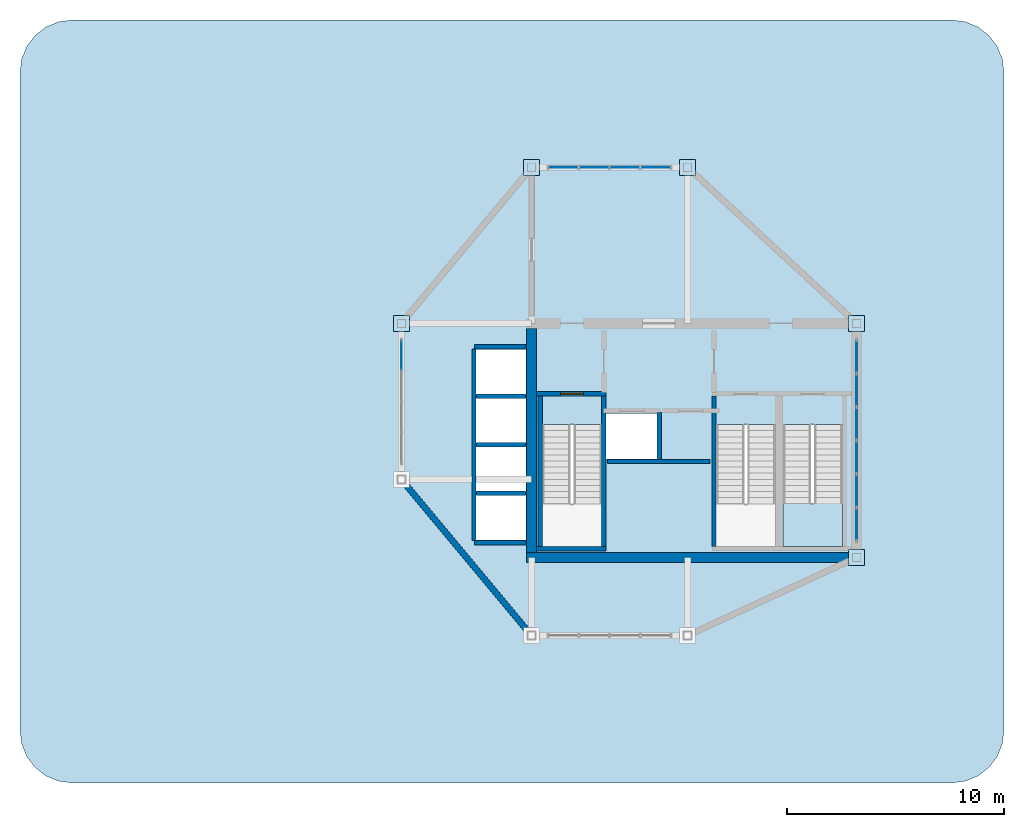
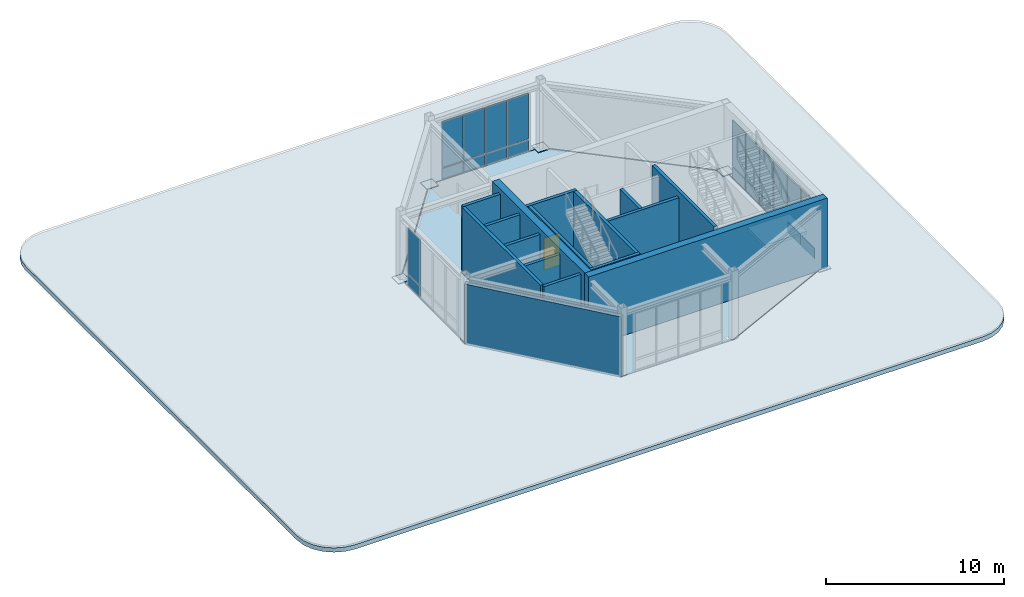
# One storey, part 3 of 5: 27 plates, 16 walls, 3 slabs, 1 door, 1 opening, 4 elements without a shape of their own.
"""IFC4 building model written with IfcOpenShell, lengths in metres."""

from ifc_helpers import new_model, si_unit, derived_unit, direction, frame, frame_2d, origin, origin_2d, place, context, subcontext, project, spatial, polyline, rectangle, outline, extrude, source, transform, mapped, material, layer, layer_set, type_object, type_shapes, element, fill, aggregate, save


model = new_model("IFC4")

# Units and contexts
model_context = context("Model", 3, precision=1e-05, world=origin(), true_north=direction((0.0, 1.0)))
body_context = subcontext(model_context, "Body", "Model", "MODEL_VIEW")
ifc_project = project(units=[si_unit("LENGTHUNIT", "METRE"), si_unit("AREAUNIT", "SQUARE_METRE"), si_unit("VOLUMEUNIT", "CUBIC_METRE"), si_unit("PLANEANGLEUNIT", "RADIAN"), si_unit("MASSUNIT", "GRAM", prefix="KILO"), si_unit("THERMODYNAMICTEMPERATUREUNIT", "KELVIN"), si_unit("POWERUNIT", "WATT"), derived_unit("THERMALTRANSMITTANCEUNIT", [(si_unit("POWERUNIT", "WATT"), 1), (si_unit("AREAUNIT", "SQUARE_METRE"), -1), (si_unit("THERMODYNAMICTEMPERATUREUNIT", "KELVIN"), -1)])], contexts=[model_context])

# Site, building, storey
site_placement = place(None, origin())
site = spatial("IfcSite", under=ifc_project, at=site_placement, CompositionType="ELEMENT")
building_placement = place(site_placement, origin())
building = spatial("IfcBuilding", under=site, at=building_placement, Name="Zahravan Archway Hotel and Residences", CompositionType="ELEMENT")
storey_placement = place(building_placement, frame((0.0, 0.0, 299.10009765625)))
storey = spatial("IfcBuildingStorey", under=building, at=storey_placement, Name="L75", CompositionType="ELEMENT", Elevation=299.10009765625)

# Slab
ifc_material_1 = material(Name="Concrete C50/60", Category="concrete")
ifc_layer_1 = layer(ifc_material_1, 0.300048828125, Name="Concrete C50/60", Category="concrete")
ifc_layer_set_1 = layer_set([ifc_layer_1], Name="Concrete C50/60")
slab_type_1 = type_object("IfcSlabType", Name="SLB-FLR-300", PredefinedType="FLOOR", material=ifc_layer_set_1)
slab_1_placement = place(storey_placement, frame((0.0, 0.0, -0.300048828125)))
element("IfcSlab", 1, at=slab_1_placement, inside=storey, type_object=slab_type_1, Name="L75 Floor Slab DRUM", PredefinedType="FLOOR", context=body_context, shape_type="SweptSolid", body=[
    extrude(outline(polyline([(34.800048828125, 0.0), (42.0, 0.0), (49.800048828125, 3.60009765625), (49.800048828125, 14.39990234375), (42.0, 21.60009765625), (34.800048828125, 21.60009765625), (28.800048828125, 14.39990234375), (28.800048828125, 7.199951171875), (34.800048828125, 0.0)]), holes=[polyline([(35.300048828125, 9.72998046875), (35.300048828125, 4.10009765625), (38.0400390625, 4.10009765625), (38.0400390625, 9.72998046875), (35.300048828125, 9.72998046875)]), polyline([(43.320068359375, 9.72998046875), (43.320068359375, 4.10009765625), (46.06005859375, 4.10009765625), (46.06005859375, 9.72998046875), (43.320068359375, 9.72998046875)]), polyline([(46.39990234375, 9.72998046875), (46.39990234375, 4.10009765625), (49.139892578125, 4.10009765625), (49.139892578125, 9.72998046875), (46.39990234375, 9.72998046875)]), polyline([(38.179931640625, 8.14990234375), (40.699951171875, 8.14990234375), (40.699951171875, 10.25), (38.179931640625, 10.25), (38.179931640625, 8.14990234375)]), polyline([(32.25, 4.39990234375), (34.550048828125, 4.39990234375), (34.550048828125, 6.47998046875), (32.25, 6.47998046875), (32.25, 4.39990234375)]), polyline([(32.25, 6.639892578125), (34.550048828125, 6.639892578125), (34.550048828125, 8.719970703125), (32.25, 8.719970703125), (32.25, 6.639892578125)]), polyline([(32.25, 8.8798828125), (34.550048828125, 8.8798828125), (34.550048828125, 10.9599609375), (32.25, 10.9599609375), (32.25, 8.8798828125)]), polyline([(32.25, 11.1201171875), (34.550048828125, 11.1201171875), (34.550048828125, 13.199951171875), (32.25, 13.199951171875), (32.25, 11.1201171875)])]), origin(), (0.0, 0.0, 1.0), 0.300048828125),
])

# Stair, slab
stair_type = type_object("IfcStairType", Name="STR-CORE-1300", PredefinedType="HALF_TURN_STAIR", material=ifc_material_1)
stair_placement = place(storey_placement, origin())
stair = element("IfcStair", 2, at=stair_placement, inside=storey, type_object=stair_type, Name="L75 Core A Exit Stair 3", PredefinedType="HALF_TURN_STAIR")
ifc_layer_2 = layer(ifc_material_1, 0.199951171875, Name="Concrete C50/60", Category="concrete")
ifc_layer_set_2 = layer_set([ifc_layer_2], Name="Concrete C50/60")
slab_type_2 = type_object("IfcSlabType", Name="SLB-LND-200", PredefinedType="LANDING", material=ifc_layer_set_2)
slab_2_placement = place(storey_placement, frame((0.0, 0.0, 2.199951171875)))
slab_2 = element("IfcSlab", 3, at=slab_2_placement, type_object=slab_type_2, Name="ST-A3 landing 1", PredefinedType="LANDING", context=body_context, shape_type="SweptSolid", body=[
    extrude(outline(polyline([(46.39990234375, 6.090087890625), (46.39990234375, 4.10009765625), (49.139892578125, 4.10009765625), (49.139892578125, 6.090087890625), (46.39990234375, 6.090087890625)])), origin(), (0.0, 0.0, 1.0), 0.199951171875),
])
aggregate(stair, [slab_2])

# Slab
ifc_layer_3 = layer(ifc_material_1, 0.300048828125, Name="Concrete C50/60", Category="concrete")
ifc_layer_set_3 = layer_set([ifc_layer_3], Name="Concrete C50/60")
slab_type_3 = type_object("IfcSlabType", Name="SLB-ROOF-300", PredefinedType="ROOF", material=ifc_layer_set_3)
slab_3_placement = place(storey_placement, frame((0.0, 0.0, -0.300048828125)))
element("IfcSlab", 4, at=slab_3_placement, inside=storey, type_object=slab_type_3, Name="Wing A Overhanging Flat Shading Roof Canopy Slab 300 mm", PredefinedType="ROOF", context=body_context, shape_type="SweptSolid", body=[
    extrude(outline(polyline([(13.60009765625, -6.800048828125), (12.978759765625, -6.71826171875), (12.39990234375, -6.478515625), (11.90283203125, -6.09716796875), (11.521484375, -5.60009765625), (11.28173828125, -5.021240234375), (11.199951171875, -4.39990234375), (11.199951171875, 26.0), (11.28173828125, 26.62109375), (11.521484375, 27.199951171875), (11.90283203125, 27.697021484375), (12.39990234375, 28.07861328125), (12.978759765625, 28.318115234375), (13.60009765625, 28.39990234375), (54.199951171875, 28.39990234375), (54.8212890625, 28.318115234375), (55.39990234375, 28.07861328125), (55.897216796875, 27.697021484375), (56.278564453125, 27.199951171875), (56.518310546875, 26.62109375), (56.60009765625, 26.0), (56.60009765625, -4.39990234375), (56.518310546875, -5.021240234375), (56.278564453125, -5.60009765625), (55.897216796875, -6.09716796875), (55.39990234375, -6.478515625), (54.8212890625, -6.71826171875), (54.199951171875, -6.800048828125), (13.60009765625, -6.800048828125)]), holes=[polyline([(34.764892578125, -0.03564453125), (34.7685546875, -0.038818359375), (34.7724609375, -0.041748046875), (34.776611328125, -0.044189453125), (34.781005859375, -0.04638671875), (34.78564453125, -0.0478515625), (34.790283203125, -0.049072265625), (34.795166015625, -0.0498046875), (34.800048828125, -0.050048828125), (42.0, -0.050048828125), (42.00537109375, -0.0498046875), (42.0107421875, -0.048828125), (42.015869140625, -0.04736328125), (42.02099609375, -0.04541015625), (49.821044921875, 3.5546875), (49.8251953125, 3.556884765625), (49.8291015625, 3.559326171875), (49.8330078125, 3.562255859375), (49.836181640625, 3.565673828125), (49.83935546875, 3.569091796875), (49.842041015625, 3.572998046875), (49.844482421875, 3.5771484375), (49.846435546875, 3.58154296875), (49.847900390625, 3.5859375), (49.84912109375, 3.590576171875), (49.849853515625, 3.59521484375), (49.85009765625, 3.60009765625), (49.85009765625, 14.39990234375), (49.849609375, 14.405029296875), (49.848876953125, 14.41015625), (49.84765625, 14.415283203125), (49.845703125, 14.420166015625), (49.843505859375, 14.4248046875), (49.8408203125, 14.428955078125), (49.83740234375, 14.43310546875), (49.833984375, 14.436767578125), (42.033935546875, 21.63671875), (42.0302734375, 21.6396484375), (42.026611328125, 21.642333984375), (42.0224609375, 21.644775390625), (42.018310546875, 21.646484375), (42.013916015625, 21.648193359375), (42.00927734375, 21.649169921875), (42.004638671875, 21.64990234375), (42.0, 21.64990234375), (34.800048828125, 21.64990234375), (34.795166015625, 21.64990234375), (34.790283203125, 21.649169921875), (34.78564453125, 21.64794921875), (34.781005859375, 21.646240234375), (34.776611328125, 21.644287109375), (34.7724609375, 21.6416015625), (34.7685546875, 21.638916015625), (34.764892578125, 21.635498046875), (34.76171875, 21.632080078125), (28.76171875, 14.431884765625), (28.758544921875, 14.427978515625), (28.756103515625, 14.423828125), (28.75390625, 14.419189453125), (28.752197265625, 14.414794921875), (28.7509765625, 14.409912109375), (28.750244140625, 14.405029296875), (28.75, 14.39990234375), (28.75, 7.199951171875), (28.750244140625, 7.195068359375), (28.7509765625, 7.190185546875), (28.752197265625, 7.185302734375), (28.75390625, 7.1806640625), (28.756103515625, 7.17626953125), (28.758544921875, 7.172119140625), (28.76171875, 7.16796875), (34.76171875, -0.031982421875), (34.764892578125, -0.03564453125)])]), origin(), (0.0, 0.0, 1.0), 0.300048828125),
])

# Plates
ifc_material_2 = material(Name="Structural Steel S355J2", Category="steel")
ifc_layer_4 = layer(ifc_material_2, 0.0400390625, Name="Structural Steel S355J2", Category="steel")
ifc_layer_set_4 = layer_set([ifc_layer_4], Name="Structural Steel S355J2")
plate_type_1 = type_object("IfcPlateType", Name="PLT-BASE-MP2", PredefinedType="SHEET", material=ifc_layer_set_4)
shared_shape_1 = source(origin(), body_context, "Body", "SweptSolid", [
    extrude(rectangle(XDim=0.75, YDim=0.75, at=origin_2d()), origin(), (0.0, 0.0, 1.0), 0.0400390625),
])
type_shapes(plate_type_1, [shared_shape_1])
for number, where, z_axis, x_axis, name in (
    (5, (49.800048828125, 3.60009765625, 0.0), (0.0, 0.0, 1.0), (1.0, 0.0, 0.0), "Crown Drum Column Base Plate MP2-3"),
    (6, (49.800048828125, 14.39990234375, 0.0), (0.0, 0.0, 1.0), (1.0, 0.0, 0.0), "Crown Drum Column Base Plate MP2-4"),
    (7, (42.0, 21.60009765625, 0.0), (0.0, 0.0, 1.0), (1.0, 0.0, 0.0), "Crown Drum Column Base Plate MP2-5"),
    (8, (34.800048828125, 21.60009765625, 0.0), (0.0, 0.0, 1.0), (1.0, 0.0, 0.0), "Crown Drum Column Base Plate MP2-6"),
    (9, (28.800048828125, 14.39990234375, 0.0), (0.0, 0.0, 1.0), (1.0, 0.0, 0.0), "Crown Drum Column Base Plate MP2-7"),
):
    element("IfcPlate", number, at=place(storey_placement, frame(where, z_axis=z_axis, x_axis=x_axis)), inside=storey, type_object=plate_type_1, Name=name, PredefinedType="SHEET", context=body_context, shape_type="MappedRepresentation", body=[
        mapped(shared_shape_1, transform((0.0, 0.0, 0.0), scale=1.0)),
    ])

# Curtain wall, plates
ifc_material_3 = material(Name="Bronze-Anodized Unitised Aluminium & Low-E Glass", Category="aluminium")
ifc_layer_5 = layer(ifc_material_3, 0.179931640625, Name="Bronze-Anodized Unitised Aluminium & Low-E Glass", Category="aluminium")
ifc_layer_set_5 = layer_set([ifc_layer_5], Name="Bronze-Anodized Unitised Aluminium & Low-E Glass")
curtain_wall_type = type_object("IfcCurtainWallType", Name="CW-CRN-DRUM", PredefinedType="NOTDEFINED", material=ifc_layer_set_5)
curtain_wall_1_placement = place(storey_placement, origin())
curtain_wall_1 = element("IfcCurtainWall", 10, at=curtain_wall_1_placement, inside=storey, type_object=curtain_wall_type, Name="L75 Curtain Wall CW-DRUM-L75-5-1", PredefinedType="NOTDEFINED")
ifc_material_4 = material(Name="Insulated Terracotta Spandrel Panel", Category="masonry")
ifc_layer_6 = layer(ifc_material_4, 0.0400390625, Name="Insulated Terracotta Spandrel Panel", Category="masonry")
ifc_layer_set_6 = layer_set([ifc_layer_6], Name="Insulated Terracotta Spandrel Panel")
plate_type_2 = type_object("IfcPlateType", Name="CWP-SPN-40", PredefinedType="SHEET", material=ifc_layer_set_6)
shared_shape_2 = source(origin(), body_context, "Body", "SweptSolid", [
    extrude(rectangle(XDim=1.340087890625, YDim=0.0400390625, at=origin_2d()), origin(), (0.0, 0.0, 1.0), 0.7099609375),
])
plate_1_placement = place(storey_placement, frame((40.530029296875, 21.60009765625, 0.099853515625), z_axis=(0.0, 0.0, 1.0), x_axis=(-1.0, 0.0, 0.0)))
plate_1 = element("IfcPlate", 11, at=plate_1_placement, type_object=plate_type_2, Name="CW-DRUM-L75-5-1 Spandrel Panel 0", PredefinedType="SHEET", context=body_context, shape_type="MappedRepresentation", body=[
    mapped(shared_shape_2, transform((0.0, 0.0, 0.0), scale=1.0)),
])
plate_2_placement = place(storey_placement, frame((39.110107421875, 21.60009765625, 0.099853515625), z_axis=(0.0, 0.0, 1.0), x_axis=(-1.0, 0.0, 0.0)))
plate_2 = element("IfcPlate", 12, at=plate_2_placement, type_object=plate_type_2, Name="CW-DRUM-L75-5-1 Spandrel Panel 1", PredefinedType="SHEET", context=body_context, shape_type="MappedRepresentation", body=[
    mapped(shared_shape_2, transform((0.0, 0.0, 0.0), scale=1.0)),
])
plate_3_placement = place(storey_placement, frame((37.68994140625, 21.60009765625, 0.099853515625), z_axis=(0.0, 0.0, 1.0), x_axis=(-1.0, 0.0, 0.0)))
plate_3 = element("IfcPlate", 13, at=plate_3_placement, type_object=plate_type_2, Name="CW-DRUM-L75-5-1 Spandrel Panel 2", PredefinedType="SHEET", context=body_context, shape_type="MappedRepresentation", body=[
    mapped(shared_shape_2, transform((0.0, 0.0, 0.0), scale=1.0)),
])
plate_4_placement = place(storey_placement, frame((36.27001953125, 21.60009765625, 0.099853515625), z_axis=(0.0, 0.0, 1.0), x_axis=(-1.0, 0.0, 0.0)))
plate_4 = element("IfcPlate", 14, at=plate_4_placement, type_object=plate_type_2, Name="CW-DRUM-L75-5-1 Spandrel Panel 3", PredefinedType="SHEET", context=body_context, shape_type="MappedRepresentation", body=[
    mapped(shared_shape_2, transform((0.0, 0.0, 0.0), scale=1.0)),
])

# Curtain wall, plate
curtain_wall_2_placement = place(storey_placement, origin())
curtain_wall_2 = element("IfcCurtainWall", 15, at=curtain_wall_2_placement, inside=storey, type_object=curtain_wall_type, Name="L75 Curtain Wall CW-DRUM-L75-7-1", PredefinedType="NOTDEFINED")
plate_5_placement = place(storey_placement, frame((28.800048828125, 12.929931640625, 0.099853515625), z_axis=(0.0, 0.0, 1.0), x_axis=(0.0, -1.0, 0.0)))
plate_5 = element("IfcPlate", 16, at=plate_5_placement, type_object=plate_type_2, Name="CW-DRUM-L75-7-1 Spandrel Panel 0", PredefinedType="SHEET", context=body_context, shape_type="MappedRepresentation", body=[
    mapped(shared_shape_2, transform((0.0, 0.0, 0.0), scale=1.0)),
])

# Plate
ifc_material_5 = material(Name="Double-Silver Low-E Insulated Vision Glass", Category="glass")
ifc_layer_7 = layer(ifc_material_5, 0.028076171875, Name="Double-Silver Low-E Insulated Vision Glass", Category="glass")
ifc_layer_set_7 = layer_set([ifc_layer_7], Name="Double-Silver Low-E Insulated Vision Glass")
plate_type_3 = type_object("IfcPlateType", Name="CWP-GLZ-28", PredefinedType="CURTAIN_PANEL", material=ifc_layer_set_7)
shared_shape_3 = source(origin(), body_context, "Body", "SweptSolid", [
    extrude(rectangle(XDim=1.340087890625, YDim=0.028076171875, at=origin_2d()), origin(), (0.0, 0.0, 1.0), 3.135009765625),
])
plate_6_placement = place(storey_placement, frame((40.530029296875, 21.60009765625, 0.89013671875), z_axis=(0.0, 0.0, 1.0), x_axis=(-1.0, 0.0, 0.0)))
plate_6 = element("IfcPlate", 17, at=plate_6_placement, type_object=plate_type_3, Name="CW-DRUM-L75-5-1 Low-E Vision Panel 0", PredefinedType="CURTAIN_PANEL", context=body_context, shape_type="MappedRepresentation", body=[
    mapped(shared_shape_3, transform((0.0, 0.0, 0.0), scale=1.0)),
])

plate_7_placement = place(storey_placement, frame((39.110107421875, 21.60009765625, 0.89013671875), z_axis=(0.0, 0.0, 1.0), x_axis=(-1.0, 0.0, 0.0)))
plate_7 = element("IfcPlate", 18, at=plate_7_placement, type_object=plate_type_3, Name="CW-DRUM-L75-5-1 Low-E Vision Panel 1", PredefinedType="CURTAIN_PANEL", context=body_context, shape_type="MappedRepresentation", body=[
    mapped(shared_shape_3, transform((0.0, 0.0, 0.0), scale=1.0)),
])

plate_8_placement = place(storey_placement, frame((37.68994140625, 21.60009765625, 0.89013671875), z_axis=(0.0, 0.0, 1.0), x_axis=(-1.0, 0.0, 0.0)))
plate_8 = element("IfcPlate", 19, at=plate_8_placement, type_object=plate_type_3, Name="CW-DRUM-L75-5-1 Low-E Vision Panel 2", PredefinedType="CURTAIN_PANEL", context=body_context, shape_type="MappedRepresentation", body=[
    mapped(shared_shape_3, transform((0.0, 0.0, 0.0), scale=1.0)),
])

plate_9_placement = place(storey_placement, frame((36.27001953125, 21.60009765625, 0.89013671875), z_axis=(0.0, 0.0, 1.0), x_axis=(-1.0, 0.0, 0.0)))
plate_9 = element("IfcPlate", 20, at=plate_9_placement, type_object=plate_type_3, Name="CW-DRUM-L75-5-1 Low-E Vision Panel 3", PredefinedType="CURTAIN_PANEL", context=body_context, shape_type="MappedRepresentation", body=[
    mapped(shared_shape_3, transform((0.0, 0.0, 0.0), scale=1.0)),
])

aggregate(curtain_wall_1, [plate_1, plate_6, plate_2, plate_7, plate_3, plate_8, plate_4, plate_9])

plate_10_placement = place(storey_placement, frame((28.800048828125, 12.929931640625, 0.89013671875), z_axis=(0.0, 0.0, 1.0), x_axis=(0.0, -1.0, 0.0)))
plate_10 = element("IfcPlate", 21, at=plate_10_placement, type_object=plate_type_3, Name="CW-DRUM-L75-7-1 Low-E Vision Panel 0", PredefinedType="CURTAIN_PANEL", context=body_context, shape_type="MappedRepresentation", body=[
    mapped(shared_shape_3, transform((0.0, 0.0, 0.0), scale=1.0)),
])

aggregate(curtain_wall_2, [plate_5, plate_10])

# Curtain wall, plates
curtain_wall_3_placement = place(storey_placement, origin())
curtain_wall_3 = element("IfcCurtainWall", 22, at=curtain_wall_3_placement, inside=storey, type_object=curtain_wall_type, Name="L75 Curtain Wall CW-DRUM-L75-3-1", PredefinedType="NOTDEFINED")
shared_shape_4 = source(origin(), body_context, "Body", "SweptSolid", [
    extrude(rectangle(XDim=1.466796875, YDim=0.0400390625, at=origin_2d()), origin(), (0.0, 0.0, 1.0), 0.7099609375),
])
plate_11_placement = place(storey_placement, frame((49.800048828125, 5.13330078125, 0.099853515625), z_axis=(0.0, 0.0, 1.0), x_axis=(0.0, 1.0, 0.0)))
plate_11 = element("IfcPlate", 23, at=plate_11_placement, type_object=plate_type_2, Name="CW-DRUM-L75-3-1 Spandrel Panel 0", PredefinedType="SHEET", context=body_context, shape_type="MappedRepresentation", body=[
    mapped(shared_shape_4, transform((0.0, 0.0, 0.0), scale=1.0)),
])
plate_12_placement = place(storey_placement, frame((49.800048828125, 6.679931640625, 0.099853515625), z_axis=(0.0, 0.0, 1.0), x_axis=(0.0, 1.0, 0.0)))
plate_12 = element("IfcPlate", 24, at=plate_12_placement, type_object=plate_type_2, Name="CW-DRUM-L75-3-1 Spandrel Panel 1", PredefinedType="SHEET", context=body_context, shape_type="MappedRepresentation", body=[
    mapped(shared_shape_4, transform((0.0, 0.0, 0.0), scale=1.0)),
])
plate_13_placement = place(storey_placement, frame((49.800048828125, 8.2265625, 0.099853515625), z_axis=(0.0, 0.0, 1.0), x_axis=(0.0, 1.0, 0.0)))
plate_13 = element("IfcPlate", 25, at=plate_13_placement, type_object=plate_type_2, Name="CW-DRUM-L75-3-1 Spandrel Panel 2", PredefinedType="SHEET", context=body_context, shape_type="MappedRepresentation", body=[
    mapped(shared_shape_4, transform((0.0, 0.0, 0.0), scale=1.0)),
])
plate_14_placement = place(storey_placement, frame((49.800048828125, 9.7734375, 0.099853515625), z_axis=(0.0, 0.0, 1.0), x_axis=(0.0, 1.0, 0.0)))
plate_14 = element("IfcPlate", 26, at=plate_14_placement, type_object=plate_type_2, Name="CW-DRUM-L75-3-1 Spandrel Panel 3", PredefinedType="SHEET", context=body_context, shape_type="MappedRepresentation", body=[
    mapped(shared_shape_4, transform((0.0, 0.0, 0.0), scale=1.0)),
])
plate_15_placement = place(storey_placement, frame((49.800048828125, 11.320068359375, 0.099853515625), z_axis=(0.0, 0.0, 1.0), x_axis=(0.0, 1.0, 0.0)))
plate_15 = element("IfcPlate", 27, at=plate_15_placement, type_object=plate_type_2, Name="CW-DRUM-L75-3-1 Spandrel Panel 4", PredefinedType="SHEET", context=body_context, shape_type="MappedRepresentation", body=[
    mapped(shared_shape_4, transform((0.0, 0.0, 0.0), scale=1.0)),
])
plate_16_placement = place(storey_placement, frame((49.800048828125, 12.86669921875, 0.099853515625), z_axis=(0.0, 0.0, 1.0), x_axis=(0.0, 1.0, 0.0)))
plate_16 = element("IfcPlate", 28, at=plate_16_placement, type_object=plate_type_2, Name="CW-DRUM-L75-3-1 Spandrel Panel 5", PredefinedType="SHEET", context=body_context, shape_type="MappedRepresentation", body=[
    mapped(shared_shape_4, transform((0.0, 0.0, 0.0), scale=1.0)),
])
shared_shape_5 = source(origin(), body_context, "Body", "SweptSolid", [
    extrude(rectangle(XDim=1.466796875, YDim=0.028076171875, at=origin_2d()), origin(), (0.0, 0.0, 1.0), 3.135009765625),
])
plate_17_placement = place(storey_placement, frame((49.800048828125, 5.13330078125, 0.89013671875), z_axis=(0.0, 0.0, 1.0), x_axis=(0.0, 1.0, 0.0)))
plate_17 = element("IfcPlate", 29, at=plate_17_placement, type_object=plate_type_3, Name="CW-DRUM-L75-3-1 Low-E Vision Panel 0", PredefinedType="CURTAIN_PANEL", context=body_context, shape_type="MappedRepresentation", body=[
    mapped(shared_shape_5, transform((0.0, 0.0, 0.0), scale=1.0)),
])
plate_18_placement = place(storey_placement, frame((49.800048828125, 6.679931640625, 0.89013671875), z_axis=(0.0, 0.0, 1.0), x_axis=(0.0, 1.0, 0.0)))
plate_18 = element("IfcPlate", 30, at=plate_18_placement, type_object=plate_type_3, Name="CW-DRUM-L75-3-1 Low-E Vision Panel 1", PredefinedType="CURTAIN_PANEL", context=body_context, shape_type="MappedRepresentation", body=[
    mapped(shared_shape_5, transform((0.0, 0.0, 0.0), scale=1.0)),
])
plate_19_placement = place(storey_placement, frame((49.800048828125, 8.2265625, 0.89013671875), z_axis=(0.0, 0.0, 1.0), x_axis=(0.0, 1.0, 0.0)))
plate_19 = element("IfcPlate", 31, at=plate_19_placement, type_object=plate_type_3, Name="CW-DRUM-L75-3-1 Low-E Vision Panel 2", PredefinedType="CURTAIN_PANEL", context=body_context, shape_type="MappedRepresentation", body=[
    mapped(shared_shape_5, transform((0.0, 0.0, 0.0), scale=1.0)),
])
plate_20_placement = place(storey_placement, frame((49.800048828125, 9.7734375, 0.89013671875), z_axis=(0.0, 0.0, 1.0), x_axis=(0.0, 1.0, 0.0)))
plate_20 = element("IfcPlate", 32, at=plate_20_placement, type_object=plate_type_3, Name="CW-DRUM-L75-3-1 Low-E Vision Panel 3", PredefinedType="CURTAIN_PANEL", context=body_context, shape_type="MappedRepresentation", body=[
    mapped(shared_shape_5, transform((0.0, 0.0, 0.0), scale=1.0)),
])
plate_21_placement = place(storey_placement, frame((49.800048828125, 11.320068359375, 0.89013671875), z_axis=(0.0, 0.0, 1.0), x_axis=(0.0, 1.0, 0.0)))
plate_21 = element("IfcPlate", 33, at=plate_21_placement, type_object=plate_type_3, Name="CW-DRUM-L75-3-1 Low-E Vision Panel 4", PredefinedType="CURTAIN_PANEL", context=body_context, shape_type="MappedRepresentation", body=[
    mapped(shared_shape_5, transform((0.0, 0.0, 0.0), scale=1.0)),
])
plate_22_placement = place(storey_placement, frame((49.800048828125, 12.86669921875, 0.89013671875), z_axis=(0.0, 0.0, 1.0), x_axis=(0.0, 1.0, 0.0)))
plate_22 = element("IfcPlate", 34, at=plate_22_placement, type_object=plate_type_3, Name="CW-DRUM-L75-3-1 Low-E Vision Panel 5", PredefinedType="CURTAIN_PANEL", context=body_context, shape_type="MappedRepresentation", body=[
    mapped(shared_shape_5, transform((0.0, 0.0, 0.0), scale=1.0)),
])
aggregate(curtain_wall_3, [plate_11, plate_17, plate_12, plate_18, plate_13, plate_19, plate_14, plate_20, plate_15, plate_21, plate_16, plate_22])

# Walls
ifc_layer_8 = layer(ifc_material_1, 0.449951171875, Name="Concrete C50/60", Category="concrete")
ifc_layer_set_8 = layer_set([ifc_layer_8], Name="Concrete C50/60")
wall_type_1 = type_object("IfcWallType", Name="CW-CORE-450", PredefinedType="SHEAR", material=ifc_layer_set_8)
wall_1_placement = place(storey_placement, frame((34.574951171875, 3.60009765625, 0.0), z_axis=(0.0, 0.0, 1.0), x_axis=(1.0, 0.0, 0.0)))
element("IfcWall", 35, at=wall_1_placement, inside=storey, type_object=wall_type_1, Name="L75 Core A Shear S Wall 450 mm", PredefinedType="SHEAR", context=body_context, shape_type="SweptSolid", body=[
    extrude(rectangle(XDim=15.449951171875, YDim=0.449951171875, at=frame_2d((7.72509765625, 0.0))), origin(), (0.0, 0.0, 1.0), 4.7998046875),
])
wall_2_placement = place(storey_placement, frame((34.800048828125, 3.824951171875, 0.0), z_axis=(0.0, 0.0, 1.0), x_axis=(0.0, 1.0, 0.0)))
element("IfcWall", 36, at=wall_2_placement, inside=storey, type_object=wall_type_1, Name="L75 Core A Shear W Wall 450 mm", PredefinedType="SHEAR", context=body_context, shape_type="SweptSolid", body=[
    extrude(rectangle(XDim=10.35009765625, YDim=0.449951171875, at=frame_2d((5.175048828125, 0.0))), origin(), (0.0, 0.0, 1.0), 4.7998046875),
])
ifc_material_6 = material(Name="Carved Chhatri Sandstone Cladding Wall", Category="masonry")
ifc_layer_9 = layer(ifc_material_6, 0.280029296875, Name="Carved Chhatri Sandstone Cladding Wall", Category="masonry")
ifc_layer_set_9 = layer_set([ifc_layer_9], Name="Carved Chhatri Sandstone Cladding Wall")
wall_type_2 = type_object("IfcWallType", Name="EW-DRUM-280", PredefinedType="SOLIDWALL", material=ifc_layer_set_9)
wall_3_placement = place(storey_placement, frame((28.800048828125, 7.199951171875, 0.0), z_axis=(0.0, 0.0, 1.0), x_axis=(0.640186961885, -0.768219144407, 0.0)))
element("IfcWall", 37, at=wall_3_placement, inside=storey, type_object=wall_type_2, Name="L75 Octagonal Chhatri Sandstone Face 8", PredefinedType="SOLIDWALL", context=body_context, shape_type="SweptSolid", body=[
    extrude(rectangle(XDim=9.372314453125, YDim=0.280029296875, at=frame_2d((4.68603515625, 0.0))), origin(), (0.0, 0.0, 1.0), 4.125),
])
ifc_material_7 = material(Name="Fire-Rated Gypsum & Concrete Block", Category="concrete")
ifc_layer_10 = layer(ifc_material_7, 0.199951171875, Name="Fire-Rated Gypsum & Concrete Block", Category="concrete")
ifc_layer_set_10 = layer_set([ifc_layer_10], Name="Fire-Rated Gypsum & Concrete Block")
wall_type_3 = type_object("IfcWallType", Name="PW-SHAFT-200", PredefinedType="PARTITIONING", material=ifc_layer_set_10)
wall_4_placement = place(storey_placement, frame((38.300048828125, 8.030029296875, 0.0), z_axis=(0.0, 0.0, 1.0), x_axis=(1.0, 0.0, 0.0)))
element("IfcWall", 38, at=wall_4_placement, inside=storey, type_object=wall_type_3, Name="L75 Partition CA-FLS", PredefinedType="PARTITIONING", context=body_context, shape_type="SweptSolid", body=[
    extrude(rectangle(XDim=4.739990234375, YDim=0.199951171875, at=frame_2d((2.3701171875, 0.0))), origin(), (0.0, 0.0, 1.0), 4.5),
])
wall_5_placement = place(storey_placement, frame((40.699951171875, 8.1201171875, 0.0), z_axis=(0.0, 0.0, 1.0), x_axis=(0.0, 1.0, 0.0)))
element("IfcWall", 39, at=wall_5_placement, inside=storey, type_object=wall_type_3, Name="L75 Partition CA-FLM", PredefinedType="PARTITIONING", context=body_context, shape_type="SweptSolid", body=[
    extrude(rectangle(XDim=2.179931640625, YDim=0.199951171875, at=frame_2d((1.08984375, 0.0))), origin(), (0.0, 0.0, 1.0), 4.5),
])
for number, where, z_axis, x_axis, name in (
    (40, (32.159912109375, 4.280029296875, 0.0), (0.0, 0.0, 1.0), (1.0, 0.0, 0.0), "L75 Partition B3-S"),
    (41, (32.159912109375, 13.320068359375, 0.0), (0.0, 0.0, 1.0), (1.0, 0.0, 0.0), "L75 Partition B3-N"),
):
    element("IfcWall", number, at=place(storey_placement, frame(where, z_axis=z_axis, x_axis=x_axis)), inside=storey, type_object=wall_type_3, Name=name, PredefinedType="PARTITIONING", context=body_context, shape_type="SweptSolid", body=[
        extrude(rectangle(XDim=2.385009765625, YDim=0.199951171875, at=frame_2d((1.1923828125, 0.0))), origin(), (0.0, 0.0, 1.0), 4.5),
    ])
wall_6_placement = place(storey_placement, frame((32.14990234375, 4.389892578125, 0.0), z_axis=(0.0, 0.0, 1.0), x_axis=(0.0, 1.0, 0.0)))
element("IfcWall", 42, at=wall_6_placement, inside=storey, type_object=wall_type_3, Name="L75 Partition B3-W", PredefinedType="PARTITIONING", context=body_context, shape_type="SweptSolid", body=[
    extrude(rectangle(XDim=8.820068359375, YDim=0.199951171875, at=frame_2d((4.41015625, 0.0))), origin(), (0.0, 0.0, 1.0), 4.5),
])
for number, where, z_axis, x_axis, name in (
    (43, (32.260009765625, 6.56005859375, 0.0), (0.0, 0.0, 1.0), (1.0, 0.0, 0.0), "L75 Partition B3-D"),
    (44, (32.260009765625, 8.800048828125, 0.0), (0.0, 0.0, 1.0), (1.0, 0.0, 0.0), "L75 Partition B3-D"),
    (45, (32.260009765625, 11.0400390625, 0.0), (0.0, 0.0, 1.0), (1.0, 0.0, 0.0), "L75 Partition B3-D"),
):
    element("IfcWall", number, at=place(storey_placement, frame(where, z_axis=z_axis, x_axis=x_axis)), inside=storey, type_object=wall_type_3, Name=name, PredefinedType="PARTITIONING", context=body_context, shape_type="SweptSolid", body=[
        extrude(rectangle(XDim=2.2548828125, YDim=0.199951171875, at=frame_2d((1.12744140625, 0.0))), origin(), (0.0, 0.0, 1.0), 4.5),
    ])
ifc_layer_11 = layer(ifc_material_1, 0.199951171875, Name="Concrete C50/60", Category="concrete")
ifc_layer_set_11 = layer_set([ifc_layer_11], Name="Concrete C50/60")
wall_type_4 = type_object("IfcWallType", Name="SW-STAIR-200", PredefinedType="SHEAR", material=ifc_layer_set_11)
wall_7_placement = place(storey_placement, frame((35.02490234375, 4.0, 0.0), z_axis=(0.0, 0.0, 1.0), x_axis=(1.0, 0.0, 0.0)))
element("IfcWall", 46, at=wall_7_placement, inside=storey, type_object=wall_type_4, Name="L75 Stairwell RC Wall CA-SA1S", PredefinedType="SHEAR", context=body_context, shape_type="SweptSolid", body=[
    extrude(rectangle(XDim=3.215087890625, YDim=0.199951171875, at=frame_2d((1.607421875, 0.0))), origin(), (0.0, 0.0, 1.0), 4.7998046875),
])
for number, where, z_axis, x_axis, name in (
    (47, (35.199951171875, 4.10009765625, 0.0), (0.0, 0.0, 1.0), (0.0, 1.0, 0.0), "L75 Stairwell RC Wall CA-SA1W"),
    (48, (38.139892578125, 4.10009765625, 0.0), (0.0, 0.0, 1.0), (0.0, 1.0, 0.0), "L75 Stairwell RC Wall CA-SA1E"),
):
    element("IfcWall", number, at=place(storey_placement, frame(where, z_axis=z_axis, x_axis=x_axis)), inside=storey, type_object=wall_type_4, Name=name, PredefinedType="SHEAR", context=body_context, shape_type="SweptSolid", body=[
        extrude(rectangle(XDim=6.949951171875, YDim=0.199951171875, at=frame_2d((3.47509765625, 0.0))), origin(), (0.0, 0.0, 1.0), 4.7998046875),
    ])

# Wall, opening, door
wall_8_placement = place(storey_placement, frame((35.02490234375, 11.14990234375, 0.0), z_axis=(0.0, 0.0, 1.0), x_axis=(1.0, 0.0, 0.0)))
wall_8 = element("IfcWall", 49, at=wall_8_placement, inside=storey, type_object=wall_type_4, Name="L75 Stairwell RC Wall CA-SA1N", PredefinedType="SHEAR", context=body_context, shape_type="SweptSolid", body=[
    extrude(rectangle(XDim=3.215087890625, YDim=0.199951171875, at=frame_2d((1.607421875, 0.0))), origin(), (0.0, 0.0, 1.0), 4.7998046875),
])
opening_placement = place(wall_8_placement, frame((1.1201171875, 0.0, 0.0)))
opening = element("IfcOpeningElement", 50, at=opening_placement, cuts=wall_8, Name="Opening FD-S1", PredefinedType="OPENING", context=body_context, shape_type="SweptSolid", body=[
    extrude(rectangle(XDim=1.050048828125, YDim=2.199951171875, at=frame_2d((0.52490234375, 1.10009765625))), frame((0.0, 0.10986328125, 0.0), z_axis=(0.0, -1.0, 0.0), x_axis=(1.0, 0.0, 0.0)), (0.0, 0.0, 1.0), 0.219970703125),
])
ifc_material_8 = material(Name="Fire-Rated Painted Steel", Category="steel")
door_type = type_object("IfcDoorType", Name="FD-STAIR-1100", OperationType="NOTDEFINED", PredefinedType="DOOR", material=ifc_material_8)
shared_shape_6 = source(origin(), body_context, "Body", "SweptSolid", [
    extrude(rectangle(XDim=1.050048828125, YDim=2.199951171875, at=frame_2d((0.52490234375, 1.10009765625))), frame((0.0, 0.02490234375, 0.0), z_axis=(0.0, -1.0, 0.0), x_axis=(1.0, 0.0, 0.0)), (0.0, 0.0, 1.0), 0.050048828125),
])
type_shapes(door_type, [shared_shape_6])
door_placement = place(opening_placement, origin())
door = element("IfcDoor", 51, at=door_placement, inside=storey, type_object=door_type, Name="L75 Stair ST-A1 Door", OperationType="SINGLE_SWING_LEFT", OverallHeight=2.199951171875, OverallWidth=1.050048828125, PredefinedType="DOOR", context=body_context, shape_type="MappedRepresentation", body=[
    mapped(shared_shape_6, transform((0.0, 0.0, 0.0), scale=1.0)),
])
fill(opening, door)

# Wall
wall_9_placement = place(storey_placement, frame((43.219970703125, 4.10009765625, 0.0), z_axis=(0.0, 0.0, 1.0), x_axis=(0.0, 1.0, 0.0)))
element("IfcWall", 52, at=wall_9_placement, inside=storey, type_object=wall_type_4, Name="L75 Stairwell RC Wall CA-SA2W", PredefinedType="SHEAR", context=body_context, shape_type="SweptSolid", body=[
    extrude(rectangle(XDim=6.949951171875, YDim=0.199951171875, at=frame_2d((3.47509765625, 0.0))), origin(), (0.0, 0.0, 1.0), 4.7998046875),
])

save(model, "model.ifc")
